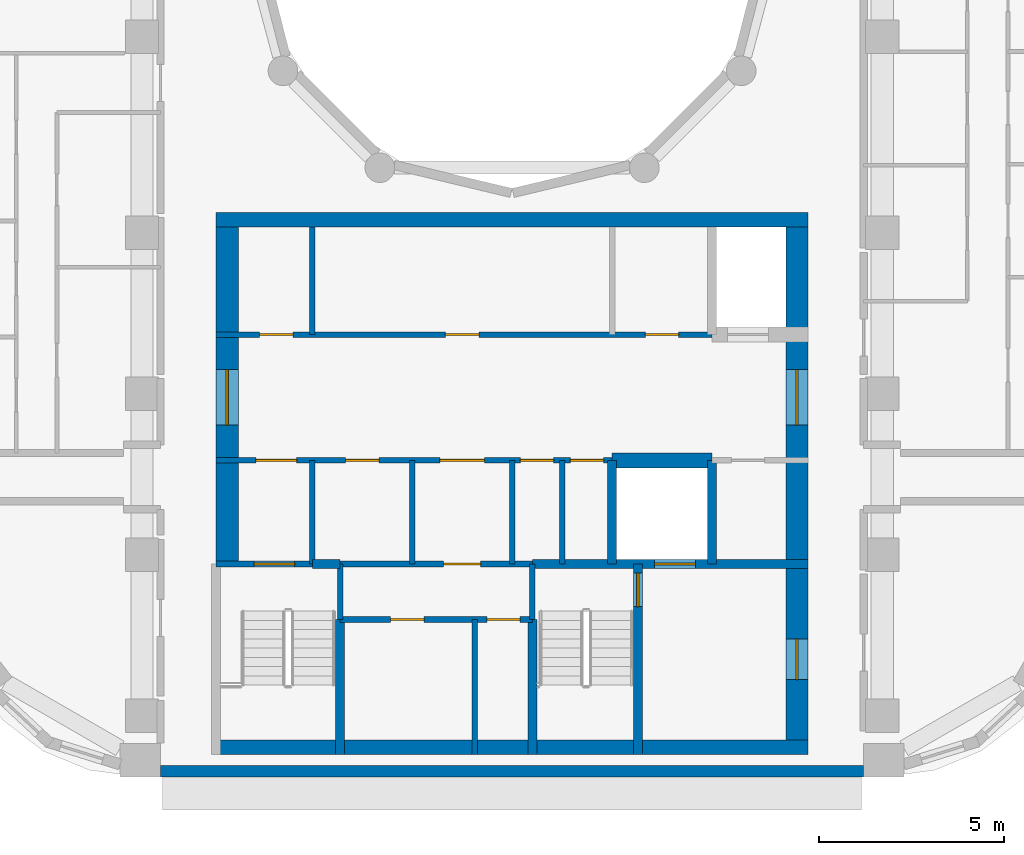
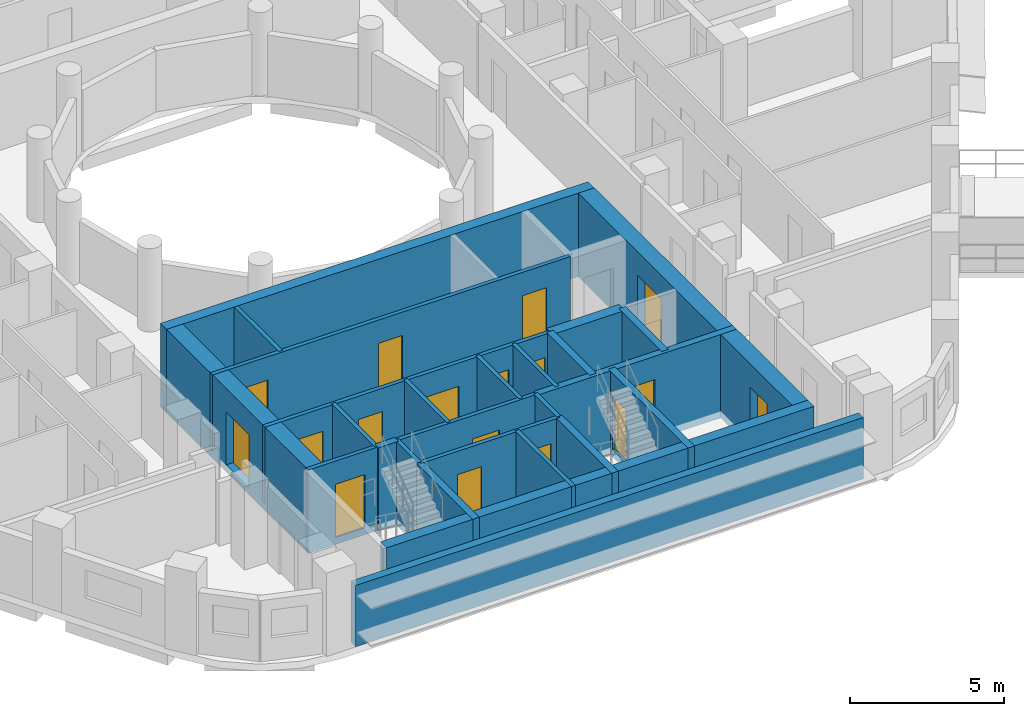
# One storey, part 3 of 12: 26 walls, 17 doors, 17 openings.
"""IFC4 building model written with IfcOpenShell, lengths in metres."""

from ifc_helpers import new_model, si_unit, direction, frame, frame_2d, origin, place, context, subcontext, project, spatial, rectangle, extrude, material, layer, layer_set, type_object, element, fill, save


model = new_model("IFC4")

# Units and contexts
model_context = context("Model", 3, precision=1e-05, world=origin(), true_north=direction((0.0, 1.0)))
body_context = subcontext(model_context, "Body", "Model", "MODEL_VIEW")
ifc_project = project(units=[si_unit("LENGTHUNIT", "METRE"), si_unit("AREAUNIT", "SQUARE_METRE"), si_unit("VOLUMEUNIT", "CUBIC_METRE"), si_unit("PLANEANGLEUNIT", "RADIAN"), si_unit("MASSUNIT", "GRAM", prefix="KILO")], contexts=[model_context])

# Site, building, storey
site_placement = place(None, origin())
site = spatial("IfcSite", under=ifc_project, at=site_placement, CompositionType="ELEMENT")
building_placement = place(site_placement, origin())
building = spatial("IfcBuilding", under=site, at=building_placement, Name="Nakaniwa Court", CompositionType="ELEMENT")
storey_placement = place(building_placement, frame((0.0, 0.0, 229.5)))
storey = spatial("IfcBuildingStorey", under=building, at=storey_placement, Name="L59", CompositionType="ELEMENT", Elevation=229.5)

# Walls
ifc_material_1 = material(Name="Charcoal ceramic cladding")
ifc_layer_1 = layer(ifc_material_1, 0.02, Name="Ceramic cladding")
ifc_material_2 = material(Name="Ventilated air cavity")
ifc_layer_2 = layer(ifc_material_2, 0.04, ventilated=True, Name="Ventilated cavity")
ifc_material_3 = material(Name="Mineral wool insulation")
ifc_layer_3 = layer(ifc_material_3, 0.1, Name="Insulation")
ifc_material_4 = material(Name="Cement bonded sheathing board")
ifc_layer_4 = layer(ifc_material_4, 0.012, Name="Sheathing")
ifc_material_5 = material(Name="Cold-formed galvanised stud frame with mineral wool infill")
ifc_layer_5 = layer(ifc_material_5, 0.1, Name="Stud frame")
ifc_material_6 = material(Name="Fire-rated gypsum plasterboard lining")
ifc_layer_6 = layer(ifc_material_6, 0.028, Name="Lining")
ifc_layer_set_1 = layer_set([ifc_layer_1, ifc_layer_2, ifc_layer_3, ifc_layer_4, ifc_layer_5, ifc_layer_6], Name="Charcoal ceramic faced external wall system")
wall_type_1 = type_object("IfcWallType", Name="Black ceramic faced external wall 300", PredefinedType="SOLIDWALL", material=ifc_layer_set_1)
wall_1_placement = place(storey_placement, frame((70.500732421875, 57.5, 0.0), z_axis=(0.0, 0.0, 1.0), x_axis=(1.0, 0.0, 0.0)))
element("IfcWall", 1, at=wall_1_placement, inside=storey, type_object=wall_type_1, Name="L59 external wall 26", PredefinedType="SOLIDWALL", context=body_context, shape_type="SweptSolid", body=[
    extrude(rectangle(XDim=18.99267578125, YDim=0.300048828125, at=frame_2d((9.496337890625, 0.0))), origin(), (0.0, 0.0, 1.0), 2.425048828125),
])
ifc_material_7 = material(Name="Blockwork partition", Category="masonry")
ifc_layer_7 = layer(ifc_material_7, 0.14990234375)
ifc_layer_set_2 = layer_set([ifc_layer_7], Name="Blockwork partition")
wall_type_2 = type_object("IfcWallType", Name="Blockwork partition 150", PredefinedType="PARTITIONING", material=ifc_layer_set_2)
wall_2_placement = place(storey_placement, frame((74.60009765625, 63.10009765625, 0.0), z_axis=(0.0, 0.0, 1.0), x_axis=(0.0, 1.0, 0.0)))
element("IfcWall", 2, at=wall_2_placement, inside=storey, type_object=wall_type_2, Name="Partition PW-029", PredefinedType="PARTITIONING", context=body_context, shape_type="SweptSolid", body=[
    extrude(rectangle(XDim=2.7998046875, YDim=0.14990234375, at=frame_2d((1.39990234375, 0.0))), origin(), (0.0, 0.0, 1.0), 3.02490234375),
])
wall_3_placement = place(storey_placement, frame((74.60009765625, 69.300048828125, 0.0), z_axis=(0.0, 0.0, 1.0), x_axis=(0.0, 1.0, 0.0)))
element("IfcWall", 3, at=wall_3_placement, inside=storey, type_object=wall_type_2, Name="Partition PW-030", PredefinedType="PARTITIONING", context=body_context, shape_type="SweptSolid", body=[
    extrude(rectangle(XDim=2.89990234375, YDim=0.14990234375, at=frame_2d((1.449951171875, 0.0))), origin(), (0.0, 0.0, 1.0), 3.02490234375),
])

# Wall, openings, doors
wall_4_placement = place(storey_placement, frame((72.0, 69.300048828125, 0.0), z_axis=(0.0, 0.0, 1.0), x_axis=(1.0, 0.0, 0.0)))
wall_4 = element("IfcWall", 4, at=wall_4_placement, inside=storey, type_object=wall_type_2, Name="Partition PW-031", PredefinedType="PARTITIONING", context=body_context, shape_type="SweptSolid", body=[
    extrude(rectangle(XDim=13.39990234375, YDim=0.14990234375, at=frame_2d((6.699951171875, 0.0))), origin(), (0.0, 0.0, 1.0), 3.02490234375),
])
opening_1_placement = place(wall_4_placement, frame((1.175048828125, 0.0, 0.0)))
opening_1 = element("IfcOpeningElement", 5, at=opening_1_placement, cuts=wall_4, Name="Opening D-05-10", PredefinedType="OPENING", context=body_context, shape_type="SweptSolid", body=[
    extrude(rectangle(XDim=0.89990234375, YDim=2.10009765625, at=frame_2d((0.449951171875, 1.050048828125))), frame((0.0, 0.0849609375, 0.0), z_axis=(0.0, -1.0, 0.0), x_axis=(1.0, 0.0, 0.0)), (0.0, 0.0, 1.0), 0.169921875),
])
opening_2_placement = place(wall_4_placement, frame((6.199951171875, 0.0, 0.0)))
opening_2 = element("IfcOpeningElement", 6, at=opening_2_placement, cuts=wall_4, Name="Opening D-05-11", PredefinedType="OPENING", context=body_context, shape_type="SweptSolid", body=[
    extrude(rectangle(XDim=0.89990234375, YDim=2.10009765625, at=frame_2d((0.449951171875, 1.050048828125))), frame((0.0, 0.0849609375, 0.0), z_axis=(0.0, -1.0, 0.0), x_axis=(1.0, 0.0, 0.0)), (0.0, 0.0, 1.0), 0.169921875),
])
opening_3_placement = place(wall_4_placement, frame((11.60009765625, 0.0, 0.0)))
opening_3 = element("IfcOpeningElement", 7, at=opening_3_placement, cuts=wall_4, Name="Opening D-05-12", PredefinedType="OPENING", context=body_context, shape_type="SweptSolid", body=[
    extrude(rectangle(XDim=0.89990234375, YDim=2.10009765625, at=frame_2d((0.449951171875, 1.050048828125))), frame((0.0, 0.0849609375, 0.0), z_axis=(0.0, -1.0, 0.0), x_axis=(1.0, 0.0, 0.0)), (0.0, 0.0, 1.0), 0.169921875),
])
ifc_material_8 = material(Name="Fire rated steel door set", Category="steel")
door_type_1 = type_object("IfcDoorType", Name="Service room door 900", OperationType="NOTDEFINED", PredefinedType="DOOR", material=ifc_material_8)
door_1_placement = place(opening_1_placement, origin())
door_1 = element("IfcDoor", 8, at=door_1_placement, inside=storey, type_object=door_type_1, Name="Door D-05-10 L59-015", OperationType="SINGLE_SWING_RIGHT", OverallHeight=2.10009765625, OverallWidth=0.89990234375, PredefinedType="DOOR", context=body_context, shape_type="SweptSolid", body=[
    extrude(rectangle(XDim=0.89990234375, YDim=2.10009765625, at=frame_2d((0.449951171875, 1.050048828125))), frame((0.0, 0.02490234375, 0.0), z_axis=(0.0, -1.0, 0.0), x_axis=(1.0, 0.0, 0.0)), (0.0, 0.0, 1.0), 0.050048828125),
])
fill(opening_1, door_1)
door_2_placement = place(opening_2_placement, origin())
door_2 = element("IfcDoor", 9, at=door_2_placement, inside=storey, type_object=door_type_1, Name="Door D-05-11 L59-016", OperationType="SINGLE_SWING_LEFT", OverallHeight=2.10009765625, OverallWidth=0.89990234375, PredefinedType="DOOR", context=body_context, shape_type="SweptSolid", body=[
    extrude(rectangle(XDim=0.89990234375, YDim=2.10009765625, at=frame_2d((0.449951171875, 1.050048828125))), frame((0.0, 0.02490234375, 0.0), z_axis=(0.0, -1.0, 0.0), x_axis=(1.0, 0.0, 0.0)), (0.0, 0.0, 1.0), 0.050048828125),
])
fill(opening_2, door_2)
door_3_placement = place(opening_3_placement, origin())
door_3 = element("IfcDoor", 10, at=door_3_placement, inside=storey, type_object=door_type_1, Name="Door D-05-12 L59-017", OperationType="SINGLE_SWING_RIGHT", OverallHeight=2.10009765625, OverallWidth=0.89990234375, PredefinedType="DOOR", context=body_context, shape_type="SweptSolid", body=[
    extrude(rectangle(XDim=0.89990234375, YDim=2.10009765625, at=frame_2d((0.449951171875, 1.050048828125))), frame((0.0, 0.02490234375, 0.0), z_axis=(0.0, -1.0, 0.0), x_axis=(1.0, 0.0, 0.0)), (0.0, 0.0, 1.0), 0.050048828125),
])
fill(opening_3, door_3)

wall_5_placement = place(storey_placement, frame((82.702880859375, 65.89990234375, 0.0), z_axis=(0.0, 0.0, 1.0), x_axis=(-1.0, 0.0, 0.0)))
wall_5 = element("IfcWall", 11, at=wall_5_placement, inside=storey, type_object=wall_type_2, Name="Partition PW-038", PredefinedType="PARTITIONING", context=body_context, shape_type="SweptSolid", body=[
    extrude(rectangle(XDim=10.702880859375, YDim=0.14990234375, at=frame_2d((5.3515625, 0.0))), origin(), (0.0, 0.0, 1.0), 3.02490234375),
])
opening_4_placement = place(wall_5_placement, frame((8.528076171875, 0.0, 0.0)))
opening_4 = element("IfcOpeningElement", 12, at=opening_4_placement, cuts=wall_5, Name="Opening D-08-02", PredefinedType="OPENING", context=body_context, shape_type="SweptSolid", body=[
    extrude(rectangle(XDim=1.10009765625, YDim=2.10009765625, at=frame_2d((0.550048828125, 1.050048828125))), frame((0.0, 0.0849609375, 0.0), z_axis=(0.0, -1.0, 0.0), x_axis=(1.0, 0.0, 0.0)), (0.0, 0.0, 1.0), 0.169921875),
])
opening_5_placement = place(wall_5_placement, frame((6.302978515625, 0.0, 0.0)))
opening_5 = element("IfcOpeningElement", 13, at=opening_5_placement, cuts=wall_5, Name="Opening D-05-13", PredefinedType="OPENING", context=body_context, shape_type="SweptSolid", body=[
    extrude(rectangle(XDim=0.89990234375, YDim=2.10009765625, at=frame_2d((0.449951171875, 1.050048828125))), frame((0.0, 0.0849609375, 0.0), z_axis=(0.0, -1.0, 0.0), x_axis=(1.0, 0.0, 0.0)), (0.0, 0.0, 1.0), 0.169921875),
])
opening_6_placement = place(wall_5_placement, frame((3.452880859375, 0.0, 0.0)))
opening_6 = element("IfcOpeningElement", 14, at=opening_6_placement, cuts=wall_5, Name="Opening D-06-02", PredefinedType="OPENING", context=body_context, shape_type="SweptSolid", body=[
    extrude(rectangle(XDim=1.199951171875, YDim=2.10009765625, at=frame_2d((0.60009765625, 1.050048828125))), frame((0.0, 0.0849609375, 0.0), z_axis=(0.0, -1.0, 0.0), x_axis=(1.0, 0.0, 0.0)), (0.0, 0.0, 1.0), 0.169921875),
])
opening_7_placement = place(wall_5_placement, frame((1.577880859375, 0.0, 0.0)))
opening_7 = element("IfcOpeningElement", 15, at=opening_7_placement, cuts=wall_5, Name="Opening D-05-14", PredefinedType="OPENING", context=body_context, shape_type="SweptSolid", body=[
    extrude(rectangle(XDim=0.89990234375, YDim=2.10009765625, at=frame_2d((0.449951171875, 1.050048828125))), frame((0.0, 0.0849609375, 0.0), z_axis=(0.0, -1.0, 0.0), x_axis=(1.0, 0.0, 0.0)), (0.0, 0.0, 1.0), 0.169921875),
])
opening_8_placement = place(wall_5_placement, frame((0.22802734375, 0.0, 0.0)))
opening_8 = element("IfcOpeningElement", 16, at=opening_8_placement, cuts=wall_5, Name="Opening D-05-15", PredefinedType="OPENING", context=body_context, shape_type="SweptSolid", body=[
    extrude(rectangle(XDim=0.89990234375, YDim=2.10009765625, at=frame_2d((0.449951171875, 1.050048828125))), frame((0.0, 0.0849609375, 0.0), z_axis=(0.0, -1.0, 0.0), x_axis=(1.0, 0.0, 0.0)), (0.0, 0.0, 1.0), 0.169921875),
])
ifc_material_9 = material(Name="Fire rated steel double door set", Category="steel")
door_type_2 = type_object("IfcDoorType", Name="Service passage double door 1200", OperationType="NOTDEFINED", PredefinedType="DOOR", material=ifc_material_9)
door_4_placement = place(opening_6_placement, origin())
door_4 = element("IfcDoor", 17, at=door_4_placement, inside=storey, type_object=door_type_2, Name="Door D-06-02 L59-020", OperationType="DOUBLE_DOOR_SINGLE_SWING", OverallHeight=2.10009765625, OverallWidth=1.199951171875, PredefinedType="DOOR", context=body_context, shape_type="SweptSolid", body=[
    extrude(rectangle(XDim=1.199951171875, YDim=2.10009765625, at=frame_2d((0.60009765625, 1.050048828125))), frame((0.0, 0.02490234375, 0.0), z_axis=(0.0, -1.0, 0.0), x_axis=(1.0, 0.0, 0.0)), (0.0, 0.0, 1.0), 0.050048828125),
])
fill(opening_6, door_4)
door_5_placement = place(opening_5_placement, origin())
door_5 = element("IfcDoor", 18, at=door_5_placement, inside=storey, type_object=door_type_1, Name="Door D-05-13 L59-019", OperationType="SINGLE_SWING_RIGHT", OverallHeight=2.10009765625, OverallWidth=0.89990234375, PredefinedType="DOOR", context=body_context, shape_type="SweptSolid", body=[
    extrude(rectangle(XDim=0.89990234375, YDim=2.10009765625, at=frame_2d((0.449951171875, 1.050048828125))), frame((0.0, 0.02490234375, 0.0), z_axis=(0.0, -1.0, 0.0), x_axis=(1.0, 0.0, 0.0)), (0.0, 0.0, 1.0), 0.050048828125),
])
fill(opening_5, door_5)
door_6_placement = place(opening_7_placement, origin())
door_6 = element("IfcDoor", 19, at=door_6_placement, inside=storey, type_object=door_type_1, Name="Door D-05-14 L59-021", OperationType="SINGLE_SWING_RIGHT", OverallHeight=2.10009765625, OverallWidth=0.89990234375, PredefinedType="DOOR", context=body_context, shape_type="SweptSolid", body=[
    extrude(rectangle(XDim=0.89990234375, YDim=2.10009765625, at=frame_2d((0.449951171875, 1.050048828125))), frame((0.0, 0.02490234375, 0.0), z_axis=(0.0, -1.0, 0.0), x_axis=(1.0, 0.0, 0.0)), (0.0, 0.0, 1.0), 0.050048828125),
])
fill(opening_7, door_6)
door_7_placement = place(opening_8_placement, origin())
door_7 = element("IfcDoor", 20, at=door_7_placement, inside=storey, type_object=door_type_1, Name="Door D-05-15 L59-022", OperationType="SINGLE_SWING_LEFT", OverallHeight=2.10009765625, OverallWidth=0.89990234375, PredefinedType="DOOR", context=body_context, shape_type="SweptSolid", body=[
    extrude(rectangle(XDim=0.89990234375, YDim=2.10009765625, at=frame_2d((0.449951171875, 1.050048828125))), frame((0.0, 0.02490234375, 0.0), z_axis=(0.0, -1.0, 0.0), x_axis=(1.0, 0.0, 0.0)), (0.0, 0.0, 1.0), 0.050048828125),
])
fill(opening_8, door_7)
door_type_3 = type_object("IfcDoorType", Name="Stair lobby door 1100", OperationType="NOTDEFINED", PredefinedType="DOOR", material=ifc_material_8)
door_8_placement = place(opening_4_placement, origin())
door_8 = element("IfcDoor", 21, at=door_8_placement, inside=storey, type_object=door_type_3, Name="Door D-08-02 L59-018", OperationType="SINGLE_SWING_LEFT", OverallHeight=2.10009765625, OverallWidth=1.10009765625, PredefinedType="DOOR", context=body_context, shape_type="SweptSolid", body=[
    extrude(rectangle(XDim=1.10009765625, YDim=2.10009765625, at=frame_2d((0.550048828125, 1.050048828125))), frame((0.0, 0.02490234375, 0.0), z_axis=(0.0, -1.0, 0.0), x_axis=(1.0, 0.0, 0.0)), (0.0, 0.0, 1.0), 0.050048828125),
])
fill(opening_4, door_8)

# Wall
wall_6_placement = place(storey_placement, frame((77.300048828125, 63.10009765625, 0.0), z_axis=(0.0, 0.0, 1.0), x_axis=(0.0, 1.0, 0.0)))
element("IfcWall", 22, at=wall_6_placement, inside=storey, type_object=wall_type_2, Name="Partition PW-042", PredefinedType="PARTITIONING", context=body_context, shape_type="SweptSolid", body=[
    extrude(rectangle(XDim=2.7998046875, YDim=0.14990234375, at=frame_2d((1.39990234375, 0.0))), origin(), (0.0, 0.0, 1.0), 3.02490234375),
])

# Wall, opening, door
wall_7_placement = place(storey_placement, frame((80.552978515625, 63.10009765625, 0.0), z_axis=(0.0, 0.0, 1.0), x_axis=(-1.0, 0.0, 0.0)))
wall_7 = element("IfcWall", 23, at=wall_7_placement, inside=storey, type_object=wall_type_2, Name="Partition PW-045", PredefinedType="PARTITIONING", context=body_context, shape_type="SweptSolid", body=[
    extrude(rectangle(XDim=5.2060546875, YDim=0.14990234375, at=frame_2d((2.60302734375, 0.0))), origin(), (0.0, 0.0, 1.0), 3.02490234375),
])
opening_9_placement = place(wall_7_placement, frame((1.403076171875, 0.0, 0.0)))
opening_9 = element("IfcOpeningElement", 24, at=opening_9_placement, cuts=wall_7, Name="Opening D-23-02", PredefinedType="OPENING", context=body_context, shape_type="SweptSolid", body=[
    extrude(rectangle(XDim=1.0, YDim=2.10009765625, at=frame_2d((0.5, 1.050048828125))), frame((0.0, 0.0849609375, 0.0), z_axis=(0.0, -1.0, 0.0), x_axis=(1.0, 0.0, 0.0)), (0.0, 0.0, 1.0), 0.169921875),
])
door_type_4 = type_object("IfcDoorType", Name="Service room door 1000", OperationType="NOTDEFINED", PredefinedType="DOOR", material=ifc_material_8)
door_9_placement = place(opening_9_placement, origin())
door_9 = element("IfcDoor", 25, at=door_9_placement, inside=storey, type_object=door_type_4, Name="Door D-23-02 L59-024", OperationType="SINGLE_SWING_LEFT", OverallHeight=2.10009765625, OverallWidth=1.0, PredefinedType="DOOR", context=body_context, shape_type="SweptSolid", body=[
    extrude(rectangle(XDim=1.0, YDim=2.10009765625, at=frame_2d((0.5, 1.050048828125))), frame((0.0, 0.02490234375, 0.0), z_axis=(0.0, -1.0, 0.0), x_axis=(1.0, 0.0, 0.0)), (0.0, 0.0, 1.0), 0.050048828125),
])
fill(opening_9, door_9)

# Walls
for number, where, z_axis, x_axis, name in (
    (26, (80.0, 63.10009765625, 0.0), (0.0, 0.0, 1.0), (0.0, 1.0, 0.0), "Partition PW-046"),
    (27, (81.35009765625, 63.10009765625, 0.0), (0.0, 0.0, 1.0), (0.0, 1.0, 0.0), "Partition PW-047"),
):
    element("IfcWall", number, at=place(storey_placement, frame(where, z_axis=z_axis, x_axis=x_axis)), inside=storey, type_object=wall_type_2, Name=name, PredefinedType="PARTITIONING", context=body_context, shape_type="SweptSolid", body=[
        extrude(rectangle(XDim=2.7998046875, YDim=0.14990234375, at=frame_2d((1.39990234375, 0.0))), origin(), (0.0, 0.0, 1.0), 3.02490234375),
    ])

# Wall, openings, doors
wall_8_placement = place(storey_placement, frame((80.550048828125, 61.60009765625, 0.0), z_axis=(0.0, 0.0, 1.0), x_axis=(-1.0, 0.0, 0.0)))
wall_8 = element("IfcWall", 28, at=wall_8_placement, inside=storey, type_object=wall_type_2, Name="Partition PW-055", PredefinedType="PARTITIONING", context=body_context, shape_type="SweptSolid", body=[
    extrude(rectangle(XDim=5.199951171875, YDim=0.14990234375, at=frame_2d((2.60009765625, 0.0))), origin(), (0.0, 0.0, 1.0), 3.02490234375),
])
opening_10_placement = place(wall_8_placement, frame((2.929931640625, 0.0, 0.0)))
opening_10 = element("IfcOpeningElement", 29, at=opening_10_placement, cuts=wall_8, Name="Opening D-05-17", PredefinedType="OPENING", context=body_context, shape_type="SweptSolid", body=[
    extrude(rectangle(XDim=0.89990234375, YDim=2.10009765625, at=frame_2d((0.449951171875, 1.050048828125))), frame((0.0, 0.0849609375, 0.0), z_axis=(0.0, -1.0, 0.0), x_axis=(1.0, 0.0, 0.0)), (0.0, 0.0, 1.0), 0.169921875),
])
opening_11_placement = place(wall_8_placement, frame((0.330078125, 0.0, 0.0)))
opening_11 = element("IfcOpeningElement", 30, at=opening_11_placement, cuts=wall_8, Name="Opening D-05-18", PredefinedType="OPENING", context=body_context, shape_type="SweptSolid", body=[
    extrude(rectangle(XDim=0.89990234375, YDim=2.10009765625, at=frame_2d((0.449951171875, 1.050048828125))), frame((0.0, 0.0849609375, 0.0), z_axis=(0.0, -1.0, 0.0), x_axis=(1.0, 0.0, 0.0)), (0.0, 0.0, 1.0), 0.169921875),
])
door_10_placement = place(opening_10_placement, origin())
door_10 = element("IfcDoor", 31, at=door_10_placement, inside=storey, type_object=door_type_1, Name="Door D-05-17 L59-025", OperationType="SINGLE_SWING_RIGHT", OverallHeight=2.10009765625, OverallWidth=0.89990234375, PredefinedType="DOOR", context=body_context, shape_type="SweptSolid", body=[
    extrude(rectangle(XDim=0.89990234375, YDim=2.10009765625, at=frame_2d((0.449951171875, 1.050048828125))), frame((0.0, 0.02490234375, 0.0), z_axis=(0.0, -1.0, 0.0), x_axis=(1.0, 0.0, 0.0)), (0.0, 0.0, 1.0), 0.050048828125),
])
fill(opening_10, door_10)
door_11_placement = place(opening_11_placement, origin())
door_11 = element("IfcDoor", 32, at=door_11_placement, inside=storey, type_object=door_type_1, Name="Door D-05-18 L59-026", OperationType="SINGLE_SWING_LEFT", OverallHeight=2.10009765625, OverallWidth=0.89990234375, PredefinedType="DOOR", context=body_context, shape_type="SweptSolid", body=[
    extrude(rectangle(XDim=0.89990234375, YDim=2.10009765625, at=frame_2d((0.449951171875, 1.050048828125))), frame((0.0, 0.02490234375, 0.0), z_axis=(0.0, -1.0, 0.0), x_axis=(1.0, 0.0, 0.0)), (0.0, 0.0, 1.0), 0.050048828125),
])
fill(opening_11, door_11)

# Wall
wall_9_placement = place(storey_placement, frame((78.989990234375, 57.949951171875, 0.0), z_axis=(0.0, 0.0, 1.0), x_axis=(0.0, 1.0, 0.0)))
element("IfcWall", 33, at=wall_9_placement, inside=storey, type_object=wall_type_2, Name="Partition PW-056", PredefinedType="PARTITIONING", context=body_context, shape_type="SweptSolid", body=[
    extrude(rectangle(XDim=3.650146484375, YDim=0.14990234375, at=frame_2d((1.8251953125, 0.0))), origin(), (0.0, 0.0, 1.0), 3.02490234375),
])

# Wall, opening, door
ifc_material_10 = material(Name="Concrete C80/100", Category="concrete")
ifc_layer_8 = layer(ifc_material_10, 0.60009765625)
ifc_layer_set_3 = layer_set([ifc_layer_8], Name="Concrete C80/100")
wall_type_3 = type_object("IfcWallType", Name="Concrete core side wall 600 C80", PredefinedType="SHEAR", material=ifc_layer_set_3)
wall_10_placement = place(storey_placement, frame((72.300048828125, 63.10009765625, -0.27490234375), z_axis=(0.0, 0.0, 1.0), x_axis=(0.0, 1.0, 0.0)))
wall_10 = element("IfcWall", 34, at=wall_10_placement, inside=storey, type_object=wall_type_3, Name="Core wall SW-32", PredefinedType="SHEAR", context=body_context, shape_type="SweptSolid", body=[
    extrude(rectangle(XDim=9.099853515625, YDim=0.60009765625, at=frame_2d((4.5498046875, 0.0))), origin(), (0.0, 0.0, 1.0), 3.2998046875),
])
opening_12_placement = place(wall_10_placement, frame((3.75, 0.0, 0.27490234375)))
opening_12 = element("IfcOpeningElement", 35, at=opening_12_placement, cuts=wall_10, Name="Opening D-07-04", PredefinedType="OPENING", context=body_context, shape_type="SweptSolid", body=[
    extrude(rectangle(XDim=1.5, YDim=2.10009765625, at=frame_2d((0.75, 1.050048828125))), frame((0.0, 0.31005859375, 0.0), z_axis=(0.0, -1.0, 0.0), x_axis=(1.0, 0.0, 0.0)), (0.0, 0.0, 1.0), 0.6201171875),
])
ifc_material_11 = material(Name="Glazed fire rated steel double door set", Category="steel")
door_type_5 = type_object("IfcDoorType", Name="Lobby double door 1500", OperationType="NOTDEFINED", PredefinedType="DOOR", material=ifc_material_11)
door_12_placement = place(opening_12_placement, origin())
door_12 = element("IfcDoor", 36, at=door_12_placement, inside=storey, type_object=door_type_5, Name="Door D-07-04 L59-066", OperationType="DOUBLE_DOOR_SINGLE_SWING", OverallHeight=2.10009765625, OverallWidth=1.5, PredefinedType="DOOR", context=body_context, shape_type="SweptSolid", body=[
    extrude(rectangle(XDim=1.5, YDim=2.10009765625, at=frame_2d((0.75, 1.050048828125))), frame((0.0, 0.02490234375, 0.0), z_axis=(0.0, -1.0, 0.0), x_axis=(1.0, 0.0, 0.0)), (0.0, 0.0, 1.0), 0.050048828125),
])
fill(opening_12, door_12)

# Wall, openings, doors
wall_11_placement = place(storey_placement, frame((87.699951171875, 72.199951171875, -0.27490234375), z_axis=(0.0, 0.0, 1.0), x_axis=(0.0, -1.0, 0.0)))
wall_11 = element("IfcWall", 37, at=wall_11_placement, inside=storey, type_object=wall_type_3, Name="Core wall SW-36", PredefinedType="SHEAR", context=body_context, shape_type="SweptSolid", body=[
    extrude(rectangle(XDim=14.25, YDim=0.60009765625, at=frame_2d((7.125, 0.0))), origin(), (0.0, 0.0, 1.0), 3.2998046875),
])
opening_13_placement = place(wall_11_placement, frame((3.85009765625, 0.0, 0.27490234375)))
opening_13 = element("IfcOpeningElement", 38, at=opening_13_placement, cuts=wall_11, Name="Opening D-07-03", PredefinedType="OPENING", context=body_context, shape_type="SweptSolid", body=[
    extrude(rectangle(XDim=1.5, YDim=2.10009765625, at=frame_2d((0.75, 1.050048828125))), frame((0.0, 0.31005859375, 0.0), z_axis=(0.0, -1.0, 0.0), x_axis=(1.0, 0.0, 0.0)), (0.0, 0.0, 1.0), 0.6201171875),
])
opening_14_placement = place(wall_11_placement, frame((11.125, 0.0, 0.27490234375)))
opening_14 = element("IfcOpeningElement", 39, at=opening_14_placement, cuts=wall_11, Name="Opening D-10-02", PredefinedType="OPENING", context=body_context, shape_type="SweptSolid", body=[
    extrude(rectangle(XDim=1.10009765625, YDim=2.10009765625, at=frame_2d((0.550048828125, 1.050048828125))), frame((0.0, 0.31005859375, 0.0), z_axis=(0.0, -1.0, 0.0), x_axis=(1.0, 0.0, 0.0)), (0.0, 0.0, 1.0), 0.6201171875),
])
door_type_6 = type_object("IfcDoorType", Name="Firefighting lobby door 1100", OperationType="NOTDEFINED", PredefinedType="DOOR", material=ifc_material_8)
door_13_placement = place(opening_14_placement, origin())
door_13 = element("IfcDoor", 40, at=door_13_placement, inside=storey, type_object=door_type_6, Name="Door D-10-02 L59-067", OperationType="SINGLE_SWING_RIGHT", OverallHeight=2.10009765625, OverallWidth=1.10009765625, PredefinedType="DOOR", context=body_context, shape_type="SweptSolid", body=[
    extrude(rectangle(XDim=1.10009765625, YDim=2.10009765625, at=frame_2d((0.550048828125, 1.050048828125))), frame((0.0, 0.02490234375, 0.0), z_axis=(0.0, -1.0, 0.0), x_axis=(1.0, 0.0, 0.0)), (0.0, 0.0, 1.0), 0.050048828125),
])
fill(opening_14, door_13)
door_14_placement = place(opening_13_placement, origin())
door_14 = element("IfcDoor", 41, at=door_14_placement, inside=storey, type_object=door_type_5, Name="Door D-07-03 L59-065", OperationType="DOUBLE_DOOR_SINGLE_SWING", OverallHeight=2.10009765625, OverallWidth=1.5, PredefinedType="DOOR", context=body_context, shape_type="SweptSolid", body=[
    extrude(rectangle(XDim=1.5, YDim=2.10009765625, at=frame_2d((0.75, 1.050048828125))), frame((0.0, 0.02490234375, 0.0), z_axis=(0.0, -1.0, 0.0), x_axis=(1.0, 0.0, 0.0)), (0.0, 0.0, 1.0), 0.050048828125),
])
fill(opening_13, door_14)

# Wall
ifc_layer_9 = layer(ifc_material_10, 0.39990234375)
ifc_layer_set_4 = layer_set([ifc_layer_9], Name="Concrete C80/100")
wall_type_4 = type_object("IfcWallType", Name="Concrete core spine wall 400 C80", PredefinedType="SHEAR", material=ifc_layer_set_4)
wall_12_placement = place(storey_placement, frame((82.697021484375, 65.89990234375, -0.27490234375), z_axis=(0.0, 0.0, 1.0), x_axis=(1.0, 0.0, 0.0)))
element("IfcWall", 42, at=wall_12_placement, inside=storey, type_object=wall_type_4, Name="Core wall SW-40", PredefinedType="SHEAR", context=body_context, shape_type="SweptSolid", body=[
    extrude(rectangle(XDim=2.7060546875, YDim=0.39990234375, at=frame_2d((1.35302734375, 0.0))), origin(), (0.0, 0.0, 1.0), 3.2998046875),
])

# Wall, opening, door
ifc_layer_10 = layer(ifc_material_10, 0.14990234375)
ifc_layer_set_5 = layer_set([ifc_layer_10], Name="Concrete C80/100")
wall_type_5 = type_object("IfcWallType", Name="Concrete core wall 150 C80", PredefinedType="SHEAR", material=ifc_layer_set_5)
wall_13_placement = place(storey_placement, frame((72.0, 63.10009765625, -0.27490234375), z_axis=(0.0, 0.0, 1.0), x_axis=(1.0, 0.0, 0.0)))
wall_13 = element("IfcWall", 43, at=wall_13_placement, inside=storey, type_object=wall_type_5, Name="Core wall SW-41", PredefinedType="SHEAR", context=body_context, shape_type="SweptSolid", body=[
    extrude(rectangle(XDim=2.60009765625, YDim=0.14990234375, at=frame_2d((1.300048828125, 0.0))), origin(), (0.0, 0.0, 1.0), 3.2998046875),
])
opening_15_placement = place(wall_13_placement, frame((1.02001953125, 0.0, 0.27490234375)))
opening_15 = element("IfcOpeningElement", 44, at=opening_15_placement, cuts=wall_13, Name="Opening D-09-02", PredefinedType="OPENING", context=body_context, shape_type="SweptSolid", body=[
    extrude(rectangle(XDim=1.10009765625, YDim=2.10009765625, at=frame_2d((0.550048828125, 1.050048828125))), frame((0.0, 0.0849609375, 0.0), z_axis=(0.0, -1.0, 0.0), x_axis=(1.0, 0.0, 0.0)), (0.0, 0.0, 1.0), 0.169921875),
])
door_type_7 = type_object("IfcDoorType", Name="Stair door 1100", OperationType="NOTDEFINED", PredefinedType="DOOR", material=ifc_material_8)
door_15_placement = place(opening_15_placement, origin())
door_15 = element("IfcDoor", 45, at=door_15_placement, inside=storey, type_object=door_type_7, Name="Door D-09-02 L59-027", OperationType="SINGLE_SWING_LEFT", OverallHeight=2.10009765625, OverallWidth=1.10009765625, PredefinedType="DOOR", context=body_context, shape_type="SweptSolid", body=[
    extrude(rectangle(XDim=1.10009765625, YDim=2.10009765625, at=frame_2d((0.550048828125, 1.050048828125))), frame((0.0, 0.02490234375, 0.0), z_axis=(0.0, -1.0, 0.0), x_axis=(1.0, 0.0, 0.0)), (0.0, 0.0, 1.0), 0.050048828125),
])
fill(opening_15, door_15)

# Walls
for number, where, z_axis, x_axis, name in (
    (46, (75.35009765625, 61.596923828125, -0.27490234375), (0.0, 0.0, 1.0), (0.0, 1.0, 0.0), "Core wall SW-49"),
    (47, (80.550048828125, 61.596923828125, -0.27490234375), (0.0, 0.0, 1.0), (0.0, 1.0, 0.0), "Core wall SW-53"),
):
    element("IfcWall", number, at=place(storey_placement, frame(where, z_axis=z_axis, x_axis=x_axis)), inside=storey, type_object=wall_type_5, Name=name, PredefinedType="SHEAR", context=body_context, shape_type="SweptSolid", body=[
        extrude(rectangle(XDim=1.503173828125, YDim=0.14990234375, at=frame_2d((0.75146484375, 0.0))), origin(), (0.0, 0.0, 1.0), 3.2998046875),
    ])
ifc_layer_11 = layer(ifc_material_10, 0.39990234375)
ifc_layer_set_6 = layer_set([ifc_layer_11], Name="Concrete C80/100")
wall_type_6 = type_object("IfcWallType", Name="Concrete core wall 400 C80", PredefinedType="SHEAR", material=ifc_layer_set_6)
wall_14_placement = place(storey_placement, frame((72.00390625, 58.14990234375, -0.27490234375), z_axis=(0.0, 0.0, 1.0), x_axis=(1.0, 0.0, 0.0)))
element("IfcWall", 48, at=wall_14_placement, inside=storey, type_object=wall_type_6, Name="Core wall SW-123", PredefinedType="SHEAR", context=body_context, shape_type="SweptSolid", body=[
    extrude(rectangle(XDim=15.9921875, YDim=0.39990234375, at=frame_2d((7.99609375, 0.0))), origin(), (0.0, 0.0, 1.0), 3.2998046875),
])
ifc_layer_12 = layer(ifc_material_10, 0.39990234375)
ifc_layer_set_7 = layer_set([ifc_layer_12], Name="Concrete C80/100")
wall_type_7 = type_object("IfcWallType", Name="Concrete core well wall 400 C80", PredefinedType="SHEAR", material=ifc_layer_set_7)
wall_15_placement = place(storey_placement, frame((72.00390625, 72.39990234375, -0.27490234375), z_axis=(0.0, 0.0, 1.0), x_axis=(1.0, 0.0, 0.0)))
element("IfcWall", 49, at=wall_15_placement, inside=storey, type_object=wall_type_7, Name="Core wall SW-122", PredefinedType="SHEAR", context=body_context, shape_type="SweptSolid", body=[
    extrude(rectangle(XDim=15.9921875, YDim=0.39990234375, at=frame_2d((7.99609375, 0.0))), origin(), (0.0, 0.0, 1.0), 3.2998046875),
])
ifc_layer_13 = layer(ifc_material_10, 0.25)
ifc_layer_set_8 = layer_set([ifc_layer_13], Name="Concrete C80/100")
wall_type_8 = type_object("IfcWallType", Name="Concrete shaft wall 250 C80", PredefinedType="SHEAR", material=ifc_layer_set_8)
wall_16_placement = place(storey_placement, frame((85.39990234375, 63.10009765625, -0.27490234375), z_axis=(0.0, 0.0, 1.0), x_axis=(0.0, 1.0, 0.0)))
element("IfcWall", 50, at=wall_16_placement, inside=storey, type_object=wall_type_8, Name="Core wall SW-33", PredefinedType="SHEAR", context=body_context, shape_type="SweptSolid", body=[
    extrude(rectangle(XDim=2.7998046875, YDim=0.25, at=frame_2d((1.39990234375, 0.0))), origin(), (0.0, 0.0, 1.0), 3.2998046875),
])
wall_17_placement = place(storey_placement, frame((74.60009765625, 63.10009765625, -0.27490234375), z_axis=(0.0, 0.0, 1.0), x_axis=(1.0, 0.0, 0.0)))
element("IfcWall", 51, at=wall_17_placement, inside=storey, type_object=wall_type_8, Name="Core wall SW-43", PredefinedType="SHEAR", context=body_context, shape_type="SweptSolid", body=[
    extrude(rectangle(XDim=0.7529296875, YDim=0.25, at=frame_2d((0.37646484375, 0.0))), origin(), (0.0, 0.0, 1.0), 3.2998046875),
])

# Wall, opening, door
wall_18_placement = place(storey_placement, frame((80.547119140625, 63.10009765625, -0.27490234375), z_axis=(0.0, 0.0, 1.0), x_axis=(1.0, 0.0, 0.0)))
wall_18 = element("IfcWall", 52, at=wall_18_placement, inside=storey, type_object=wall_type_8, Name="Core wall SW-44", PredefinedType="SHEAR", context=body_context, shape_type="SweptSolid", body=[
    extrude(rectangle(XDim=7.452880859375, YDim=0.25, at=frame_2d((3.7265625, 0.0))), origin(), (0.0, 0.0, 1.0), 3.2998046875),
])
opening_16_placement = place(wall_18_placement, frame((3.302001953125, 0.0, 0.27490234375)))
opening_16 = element("IfcOpeningElement", 53, at=opening_16_placement, cuts=wall_18, Name="Opening LD04", PredefinedType="OPENING", context=body_context, shape_type="SweptSolid", body=[
    extrude(rectangle(XDim=1.10009765625, YDim=2.10009765625, at=frame_2d((0.550048828125, 1.050048828125))), frame((0.0, 0.135009765625, 0.0), z_axis=(0.0, -1.0, 0.0), x_axis=(1.0, 0.0, 0.0)), (0.0, 0.0, 1.0), 0.27001953125),
])
ifc_material_12 = material(Name="Stainless steel sliding lift landing door", Category="steel")
door_type_8 = type_object("IfcDoorType", Name="Lift landing door 1100", OperationType="NOTDEFINED", PredefinedType="DOOR", material=ifc_material_12)
door_16_placement = place(opening_16_placement, origin())
door_16 = element("IfcDoor", 54, at=door_16_placement, inside=storey, type_object=door_type_8, Name="Lift landing door LD04 L59-004", OperationType="SLIDING_TO_LEFT", OverallHeight=2.10009765625, OverallWidth=1.10009765625, PredefinedType="DOOR", context=body_context, shape_type="SweptSolid", body=[
    extrude(rectangle(XDim=1.10009765625, YDim=2.10009765625, at=frame_2d((0.550048828125, 1.050048828125))), frame((0.0, 0.02490234375, 0.0), z_axis=(0.0, -1.0, 0.0), x_axis=(1.0, 0.0, 0.0)), (0.0, 0.0, 1.0), 0.050048828125),
])
fill(opening_16, door_16)

# Walls
wall_19_placement = place(storey_placement, frame((82.699951171875, 63.10009765625, -0.27490234375), z_axis=(0.0, 0.0, 1.0), x_axis=(0.0, 1.0, 0.0)))
element("IfcWall", 55, at=wall_19_placement, inside=storey, type_object=wall_type_8, Name="Core wall SW-48", PredefinedType="SHEAR", context=body_context, shape_type="SweptSolid", body=[
    extrude(rectangle(XDim=2.7998046875, YDim=0.25, at=frame_2d((1.39990234375, 0.0))), origin(), (0.0, 0.0, 1.0), 3.2998046875),
])
wall_20_placement = place(storey_placement, frame((75.35009765625, 57.949951171875, -0.27490234375), z_axis=(0.0, 0.0, 1.0), x_axis=(0.0, 1.0, 0.0)))
element("IfcWall", 56, at=wall_20_placement, inside=storey, type_object=wall_type_8, Name="Core wall SW-50", PredefinedType="SHEAR", context=body_context, shape_type="SweptSolid", body=[
    extrude(rectangle(XDim=3.653076171875, YDim=0.25, at=frame_2d((1.82666015625, 0.0))), origin(), (0.0, 0.0, 1.0), 3.2998046875),
])

# Wall, opening, door
wall_21_placement = place(storey_placement, frame((83.39990234375, 63.10009765625, -0.27490234375), z_axis=(0.0, 0.0, 1.0), x_axis=(0.0, -1.0, 0.0)))
wall_21 = element("IfcWall", 57, at=wall_21_placement, inside=storey, type_object=wall_type_8, Name="Core wall SW-52", PredefinedType="SHEAR", context=body_context, shape_type="SweptSolid", body=[
    extrude(rectangle(XDim=5.150146484375, YDim=0.25, at=frame_2d((2.5751953125, 0.0))), origin(), (0.0, 0.0, 1.0), 3.2998046875),
])
opening_17_placement = place(wall_21_placement, frame((0.25, 0.0, 0.27490234375)))
opening_17 = element("IfcOpeningElement", 58, at=opening_17_placement, cuts=wall_21, Name="Opening D-11-02", PredefinedType="OPENING", context=body_context, shape_type="SweptSolid", body=[
    extrude(rectangle(XDim=0.89990234375, YDim=2.10009765625, at=frame_2d((0.449951171875, 1.050048828125))), frame((0.0, 0.135009765625, 0.0), z_axis=(0.0, -1.0, 0.0), x_axis=(1.0, 0.0, 0.0)), (0.0, 0.0, 1.0), 0.27001953125),
])
door_type_9 = type_object("IfcDoorType", Name="Stair door 900", OperationType="NOTDEFINED", PredefinedType="DOOR", material=ifc_material_8)
door_17_placement = place(opening_17_placement, origin())
door_17 = element("IfcDoor", 59, at=door_17_placement, inside=storey, type_object=door_type_9, Name="Door D-11-02 L59-028", OperationType="SINGLE_SWING_RIGHT", OverallHeight=2.10009765625, OverallWidth=0.89990234375, PredefinedType="DOOR", context=body_context, shape_type="SweptSolid", body=[
    extrude(rectangle(XDim=0.89990234375, YDim=2.10009765625, at=frame_2d((0.449951171875, 1.050048828125))), frame((0.0, 0.02490234375, 0.0), z_axis=(0.0, -1.0, 0.0), x_axis=(1.0, 0.0, 0.0)), (0.0, 0.0, 1.0), 0.050048828125),
])
fill(opening_17, door_17)

# Wall
wall_22_placement = place(storey_placement, frame((80.550048828125, 57.949951171875, -0.27490234375), z_axis=(0.0, 0.0, 1.0), x_axis=(0.0, 1.0, 0.0)))
element("IfcWall", 60, at=wall_22_placement, inside=storey, type_object=wall_type_8, Name="Core wall SW-54", PredefinedType="SHEAR", context=body_context, shape_type="SweptSolid", body=[
    extrude(rectangle(XDim=3.653076171875, YDim=0.25, at=frame_2d((1.82666015625, 0.0))), origin(), (0.0, 0.0, 1.0), 3.2998046875),
])

save(model, "model.ifc")
